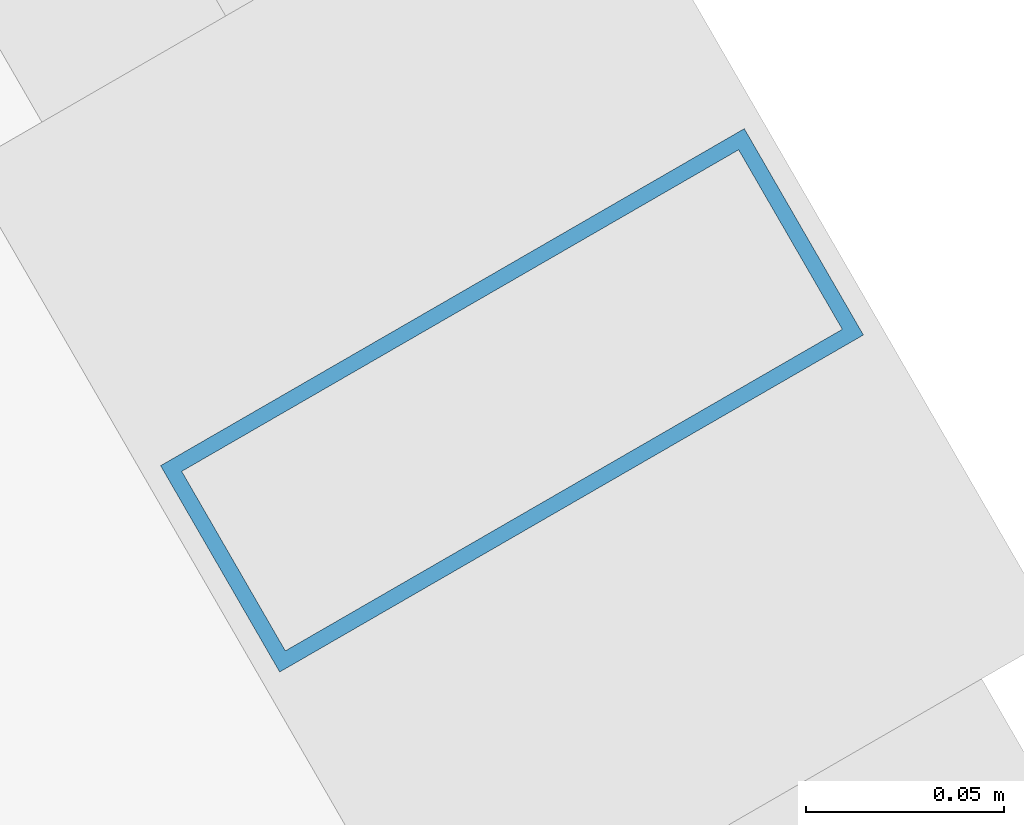
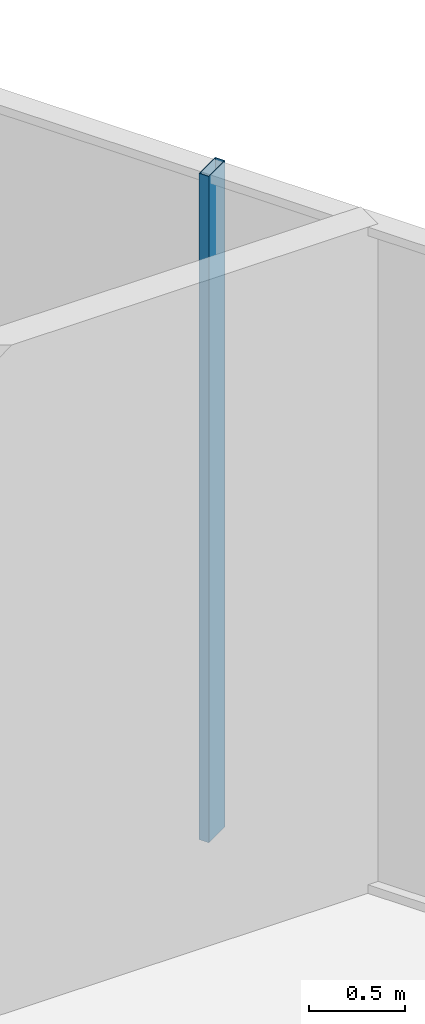
# One storey, part 21 of 39: 1 member, 1 element without a shape of its own.
"""IFC4 building model written with IfcOpenShell, lengths in metres."""

from ifc_helpers import new_model, si_unit, direction, frame, origin, origin_2d, place, context, subcontext, project, spatial, hollow_rectangle, extrude, source, transform, mapped, material, layer, layer_set, material_profile, profile_set, type_object, element, aggregate, save


model = new_model("IFC4")

# Units and contexts
model_context = context("Model", 3, precision=1e-05, world=origin(), true_north=direction((0.0, 1.0)))
body_context = subcontext(model_context, "Body", "Model", "MODEL_VIEW")
ifc_project = project(units=[si_unit("LENGTHUNIT", "METRE"), si_unit("AREAUNIT", "SQUARE_METRE"), si_unit("VOLUMEUNIT", "CUBIC_METRE"), si_unit("PLANEANGLEUNIT", "RADIAN"), si_unit("MASSUNIT", "GRAM", prefix="KILO")], contexts=[model_context])

# Site, building, storey
site_placement = place(None, origin())
site = spatial("IfcSite", under=ifc_project, at=site_placement, CompositionType="ELEMENT")
building_placement = place(site_placement, origin())
building = spatial("IfcBuilding", under=site, at=building_placement, Name="Veraguas Prism Commons", CompositionType="ELEMENT")
storey_placement = place(building_placement, frame((0.0, 0.0, 22.800048828125)))
storey = spatial("IfcBuildingStorey", under=building, at=storey_placement, Name="L05", CompositionType="ELEMENT", Elevation=22.800048828125)

# Curtain wall, member
ifc_material = material(Name="Anodised aluminium EN AW-6063 T6", Category="aluminium")
ifc_layer = layer(ifc_material, 0.169921875, Name="Unitised Flush Curtain Wall Zone 1", Category="aluminium")
ifc_layer_set = layer_set([ifc_layer], Name="Anodised aluminium EN AW-6063 T6")
curtain_wall_type = type_object("IfcCurtainWallType", Name="Unitised Flush Curtain Wall Zone 1", PredefinedType="NOTDEFINED", material=ifc_layer_set)
curtain_wall_placement = place(storey_placement, origin())
curtain_wall = element("IfcCurtainWall", 1, at=curtain_wall_placement, inside=storey, type_object=curtain_wall_type, Name="Tower Facade Curtain Wall L05-F1", PredefinedType="NOTDEFINED")
ifc_material_profile = material_profile(ifc_material, hollow_rectangle(XDim=0.06005859375, YDim=0.169921875, WallThickness=0.00390625, at=origin_2d()), Name="AL60X170X4")
ifc_profile_set = profile_set([ifc_material_profile], Name="Anodised aluminium EN AW-6063 T6")
member_type = type_object("IfcMemberType", Name="Curtain Wall Mullion Lower AL 60x170x4", PredefinedType="MULLION", material=ifc_profile_set)
shared_shape = source(origin(), body_context, "Body", "SweptSolid", [
    extrude(hollow_rectangle(XDim=0.06005859375, YDim=0.169921875, WallThickness=0.00390625, at=origin_2d()), origin(), (0.0, 0.0, 1.0), 4.25),
])
member_placement = place(storey_placement, frame((42.0, 34.392333984375, 0.0), z_axis=(0.0, 0.0, 1.0), x_axis=(-0.500004534492, 0.866022785779, 0.0)))
member = element("IfcMember", 2, at=member_placement, type_object=member_type, Name="CW-Z1 Mullion 3", PredefinedType="MULLION", context=body_context, shape_type="MappedRepresentation", body=[
    mapped(shared_shape, transform((0.0, 0.0, 0.0), scale=1.0)),
])
aggregate(curtain_wall, [member])

save(model, "model.ifc")
